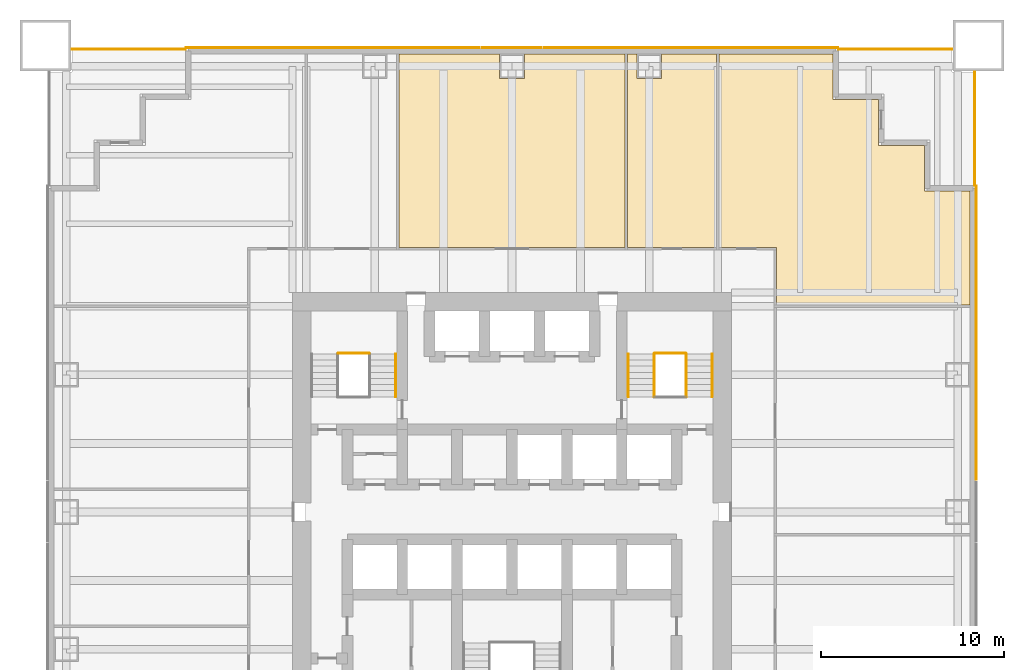
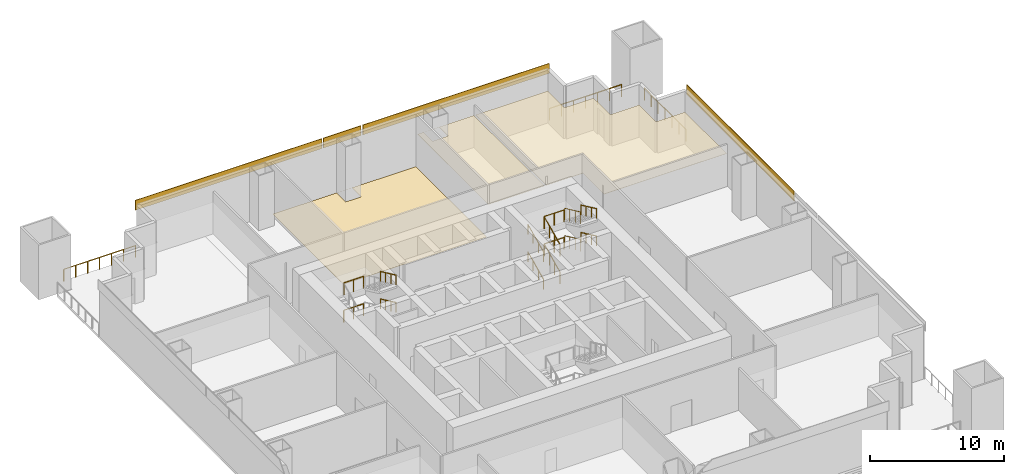
# One storey, part 6 of 6: 17 railings, 7 coverings.
"""IFC4 building model written with IfcOpenShell, lengths in metres."""

from ifc_helpers import new_model, si_unit, direction, frame, origin, origin_2d, place, context, subcontext, project, spatial, polyline, rectangle, circle, outline, extrude, material, layer, layer_set, type_object, element, save


model = new_model("IFC4")

# Units and contexts
model_context = context("Model", 3, precision=1e-05, world=origin(), true_north=direction((0.0, 1.0)))
body_context = subcontext(model_context, "Body", "Model", "MODEL_VIEW")
ifc_project = project(units=[si_unit("LENGTHUNIT", "METRE"), si_unit("AREAUNIT", "SQUARE_METRE"), si_unit("VOLUMEUNIT", "CUBIC_METRE"), si_unit("PLANEANGLEUNIT", "RADIAN"), si_unit("MASSUNIT", "GRAM", prefix="KILO")], contexts=[model_context])

# Site, building, storey
site_placement = place(None, origin())
site = spatial("IfcSite", under=ifc_project, at=site_placement, CompositionType="ELEMENT")
building_placement = place(site_placement, origin())
building = spatial("IfcBuilding", under=site, at=building_placement, Name="Tarangal Relay Tower", CompositionType="ELEMENT")
storey_placement = place(building_placement, frame((0.0, 0.0, 73.39990234375)))
storey = spatial("IfcBuildingStorey", under=building, at=storey_placement, Name="L14", CompositionType="ELEMENT", Elevation=73.39990234375)

# Coverings
ifc_material_1 = material(Name="Anti-static vinyl flooring", Category="plastic")
ifc_layer_1 = layer(ifc_material_1, 0.010009765625)
ifc_layer_set_1 = layer_set([ifc_layer_1], Name="Anti-static vinyl floor")
covering_type_1 = type_object("IfcCoveringType", Name="Anti-static vinyl floor", PredefinedType="FLOORING", material=ifc_layer_set_1)
covering_1_placement = place(storey_placement, origin())
element("IfcCovering", 1, at=covering_1_placement, inside=storey, type_object=covering_type_1, Name="Floor finish FL1 L14-03", PredefinedType="FLOORING", context=body_context, shape_type="SweptSolid", body=[
    extrude(outline(polyline([(6.175048828125, 25.050048828125), (-6.175048828125, 25.050048828125), (-6.175048828125, 14.47509765625), (6.175048828125, 14.47509765625), (6.175048828125, 25.050048828125)]), holes=[polyline([(0.675048828125, 25.0400390625), (-0.675048828125, 25.0400390625), (-0.675048828125, 23.68994140625), (0.675048828125, 23.68994140625), (0.675048828125, 25.0400390625)])]), origin(), (0.0, 0.0, 1.0), 0.010009765625),
])
ifc_material_2 = material(Name="Black anodised aluminium cladding", Category="aluminium")
ifc_layer_2 = layer(ifc_material_2, 0.050048828125)
ifc_layer_set_2 = layer_set([ifc_layer_2], Name="Black metal spandrel band")
covering_type_2 = type_object("IfcCoveringType", Name="Black metal spandrel band", PredefinedType="CLADDING", material=ifc_layer_set_2)
covering_2_placement = place(storey_placement, frame((-9.81005859375, 25.375, 4.250244140625), z_axis=(0.0, 0.0, 1.0), x_axis=(1.0, 0.0, 0.0)))
element("IfcCovering", 2, at=covering_2_placement, inside=storey, type_object=covering_type_2, Name="Spandrel band SB1 N L14", PredefinedType="CLADDING", context=body_context, shape_type="SweptSolid", body=[
    extrude(rectangle(XDim=16.080078125, YDim=0.050048828125, at=origin_2d()), origin(), (0.0, 0.0, 1.0), 0.89990234375),
])
covering_3_placement = place(storey_placement, frame((0.0, 25.375, 4.250244140625), z_axis=(0.0, 0.0, 1.0), x_axis=(1.0, 0.0, 0.0)))
element("IfcCovering", 3, at=covering_3_placement, inside=storey, type_object=covering_type_2, Name="Spandrel band SB1 N L14", PredefinedType="CLADDING", context=body_context, shape_type="SweptSolid", body=[
    extrude(rectangle(XDim=3.260009765625, YDim=0.050048828125, at=origin_2d()), origin(), (0.0, 0.0, 1.0), 0.89990234375),
])
for number, where, z_axis, x_axis, name in (
    (4, (9.81005859375, 25.375, 4.250244140625), (0.0, 0.0, 1.0), (1.0, 0.0, 0.0), "Spandrel band SB1 N L14"),
    (5, (25.375, 9.81005859375, 4.250244140625), (0.0, 0.0, 1.0), (0.0, -1.0, 0.0), "Spandrel band SB1 E L14"),
):
    element("IfcCovering", number, at=place(storey_placement, frame(where, z_axis=z_axis, x_axis=x_axis)), inside=storey, type_object=covering_type_2, Name=name, PredefinedType="CLADDING", context=body_context, shape_type="SweptSolid", body=[
        extrude(rectangle(XDim=16.080078125, YDim=0.050048828125, at=origin_2d()), origin(), (0.0, 0.0, 1.0), 0.89990234375),
    ])

# Railings
ifc_material_3 = material(Name="Steel guard, black finish", Category="steel")
railing_type_1 = type_object("IfcRailingType", Name="Stair guard 1100", PredefinedType="GUARDRAIL", material=ifc_material_3)
for number, where, name in (
    (6, (-9.5, 8.675048828125, 1.25), "Stair ST-A landing guard GR1 L14"),
    (7, (-9.5, 8.675048828125, 3.75), "Stair ST-A landing guard GR1 L14"),
):
    element("IfcRailing", number, at=place(storey_placement, frame(where)), inside=storey, type_object=railing_type_1, Name=name, PredefinedType="GUARDRAIL", context=body_context, shape_type="SweptSolid", body=[
        extrude(circle(Radius=0.02392578125, at=origin_2d()), frame((0.0, 0.0, 1.076171875), z_axis=(1.0, 0.0, 0.0), x_axis=(0.0, 1.0, 0.0)), (0.0, 0.0, 1.0), 1.699951171875),
        extrude(circle(Radius=0.02099609375, at=origin_2d()), origin(), (0.0, 0.0, 1.0), 1.052001953125),
        extrude(circle(Radius=0.02099609375, at=origin_2d()), frame((0.85009765625, 0.0, 0.0)), (0.0, 0.0, 1.0), 1.052001953125),
        extrude(circle(Radius=0.02099609375, at=origin_2d()), frame((1.699951171875, 0.0, 0.0)), (0.0, 0.0, 1.0), 1.052001953125),
    ])
railing_1_placement = place(storey_placement, frame((7.77001953125, 6.300048828125, 0.156494140625)))
element("IfcRailing", 8, at=railing_1_placement, inside=storey, type_object=railing_type_1, Name="Stair ST-B guard GR1 L14 flight 1", PredefinedType="GUARDRAIL", context=body_context, shape_type="SweptSolid", body=[
    extrude(circle(Radius=0.02392578125, at=origin_2d()), frame((0.0, 0.0, 1.076171875), z_axis=(0.0, 0.906303632821, 0.42262717037), x_axis=(-1.0, 0.0, 0.0)), (0.0, 0.0, 1.0), 2.58740234375),
    extrude(circle(Radius=0.02099609375, at=origin_2d()), origin(), (0.0, 0.0, 1.0), 1.052001953125),
    extrude(circle(Radius=0.02099609375, at=origin_2d()), frame((0.0, 0.78173828125, 0.364501953125)), (0.0, 0.0, 1.0), 1.052001953125),
    extrude(circle(Radius=0.02099609375, at=origin_2d()), frame((0.0, 1.563232421875, 0.72900390625)), (0.0, 0.0, 1.0), 1.052001953125),
    extrude(circle(Radius=0.02099609375, at=origin_2d()), frame((0.0, 2.344970703125, 1.093505859375)), (0.0, 0.0, 1.0), 1.052001953125),
])
railing_2_placement = place(storey_placement, frame((9.530029296875, 8.64501953125, 1.406494140625)))
element("IfcRailing", 9, at=railing_2_placement, inside=storey, type_object=railing_type_1, Name="Stair ST-B guard GR1 L14 flight 2", PredefinedType="GUARDRAIL", context=body_context, shape_type="SweptSolid", body=[
    extrude(circle(Radius=0.02392578125, at=origin_2d()), frame((0.0, 0.0, 1.076171875), z_axis=(0.0, -0.906303632821, 0.42262717037), x_axis=(1.0, 0.0, 0.0)), (0.0, 0.0, 1.0), 2.58740234375),
    extrude(circle(Radius=0.02099609375, at=origin_2d()), origin(), (0.0, 0.0, 1.0), 1.052001953125),
    extrude(circle(Radius=0.02099609375, at=origin_2d()), frame((0.0, -0.78173828125, 0.364501953125)), (0.0, 0.0, 1.0), 1.052001953125),
    extrude(circle(Radius=0.02099609375, at=origin_2d()), frame((0.0, -1.563232421875, 0.72900390625)), (0.0, 0.0, 1.0), 1.052001953125),
    extrude(circle(Radius=0.02099609375, at=origin_2d()), frame((0.0, -2.344970703125, 1.093505859375)), (0.0, 0.0, 1.0), 1.052001953125),
])
railing_3_placement = place(storey_placement, frame((7.77001953125, 6.300048828125, 2.656494140625)))
element("IfcRailing", 10, at=railing_3_placement, inside=storey, type_object=railing_type_1, Name="Stair ST-B guard GR1 L14 flight 3", PredefinedType="GUARDRAIL", context=body_context, shape_type="SweptSolid", body=[
    extrude(circle(Radius=0.02392578125, at=origin_2d()), frame((0.0, 0.0, 1.076171875), z_axis=(0.0, 0.906303632821, 0.42262717037), x_axis=(-1.0, 0.0, 0.0)), (0.0, 0.0, 1.0), 2.58740234375),
    extrude(circle(Radius=0.02099609375, at=origin_2d()), origin(), (0.0, 0.0, 1.0), 1.052001953125),
    extrude(circle(Radius=0.02099609375, at=origin_2d()), frame((0.0, 0.78173828125, 0.364501953125)), (0.0, 0.0, 1.0), 1.052001953125),
    extrude(circle(Radius=0.02099609375, at=origin_2d()), frame((0.0, 1.563232421875, 0.72900390625)), (0.0, 0.0, 1.0), 1.052001953125),
    extrude(circle(Radius=0.02099609375, at=origin_2d()), frame((0.0, 2.344970703125, 1.093505859375)), (0.0, 0.0, 1.0), 1.052001953125),
])
railing_4_placement = place(storey_placement, frame((9.530029296875, 8.64501953125, 3.906494140625)))
element("IfcRailing", 11, at=railing_4_placement, inside=storey, type_object=railing_type_1, Name="Stair ST-B guard GR1 L14 flight 4", PredefinedType="GUARDRAIL", context=body_context, shape_type="SweptSolid", body=[
    extrude(circle(Radius=0.02392578125, at=origin_2d()), frame((0.0, 0.0, 1.076171875), z_axis=(0.0, -0.906303632821, 0.42262717037), x_axis=(1.0, 0.0, 0.0)), (0.0, 0.0, 1.0), 2.58740234375),
    extrude(circle(Radius=0.02099609375, at=origin_2d()), origin(), (0.0, 0.0, 1.0), 1.052001953125),
    extrude(circle(Radius=0.02099609375, at=origin_2d()), frame((0.0, -0.78173828125, 0.364501953125)), (0.0, 0.0, 1.0), 1.052001953125),
    extrude(circle(Radius=0.02099609375, at=origin_2d()), frame((0.0, -1.563232421875, 0.72900390625)), (0.0, 0.0, 1.0), 1.052001953125),
    extrude(circle(Radius=0.02099609375, at=origin_2d()), frame((0.0, -2.344970703125, 1.093505859375)), (0.0, 0.0, 1.0), 1.052001953125),
])
for number, where, name in (
    (12, (7.800048828125, 8.675048828125, 1.25), "Stair ST-B landing guard GR1 L14"),
    (13, (7.800048828125, 8.675048828125, 3.75), "Stair ST-B landing guard GR1 L14"),
):
    element("IfcRailing", number, at=place(storey_placement, frame(where)), inside=storey, type_object=railing_type_1, Name=name, PredefinedType="GUARDRAIL", context=body_context, shape_type="SweptSolid", body=[
        extrude(circle(Radius=0.02392578125, at=origin_2d()), frame((0.0, 0.0, 1.076171875), z_axis=(1.0, 0.0, 0.0), x_axis=(0.0, 1.0, 0.0)), (0.0, 0.0, 1.0), 1.699951171875),
        extrude(circle(Radius=0.02099609375, at=origin_2d()), origin(), (0.0, 0.0, 1.0), 1.052001953125),
        extrude(circle(Radius=0.02099609375, at=origin_2d()), frame((0.85009765625, 0.0, 0.0)), (0.0, 0.0, 1.0), 1.052001953125),
        extrude(circle(Radius=0.02099609375, at=origin_2d()), frame((1.699951171875, 0.0, 0.0)), (0.0, 0.0, 1.0), 1.052001953125),
    ])
ifc_material_4 = material(Name="Steel handrail, black finish", Category="steel")
railing_type_2 = type_object("IfcRailingType", Name="Stair handrail 900", PredefinedType="HANDRAIL", material=ifc_material_4)
for number, where, name in (
    (14, (-6.360107421875, 8.64501953125, 1.406494140625), "Stair ST-A handrail HR1 L14 flight 2"),
    (15, (-6.360107421875, 8.64501953125, 3.906494140625), "Stair ST-A handrail HR1 L14 flight 4"),
):
    element("IfcRailing", number, at=place(storey_placement, frame(where)), inside=storey, type_object=railing_type_2, Name=name, PredefinedType="HANDRAIL", context=body_context, shape_type="SweptSolid", body=[
        extrude(circle(Radius=0.02392578125, at=origin_2d()), frame((0.0, 0.0, 0.8759765625), z_axis=(0.0, -0.906303632821, 0.42262717037), x_axis=(1.0, 0.0, 0.0)), (0.0, 0.0, 1.0), 2.58740234375),
        extrude(circle(Radius=0.02099609375, at=origin_2d()), origin(), (0.0, 0.0, 1.0), 0.851806640625),
        extrude(circle(Radius=0.02099609375, at=origin_2d()), frame((0.0, -0.78173828125, 0.364501953125)), (0.0, 0.0, 1.0), 0.851806640625),
        extrude(circle(Radius=0.02099609375, at=origin_2d()), frame((0.0, -1.563232421875, 0.72900390625)), (0.0, 0.0, 1.0), 0.851806640625),
        extrude(circle(Radius=0.02099609375, at=origin_2d()), frame((0.0, -2.344970703125, 1.093505859375)), (0.0, 0.0, 1.0), 0.851806640625),
    ])
railing_5_placement = place(storey_placement, frame((6.360107421875, 6.300048828125, 0.156494140625)))
element("IfcRailing", 16, at=railing_5_placement, inside=storey, type_object=railing_type_2, Name="Stair ST-B handrail HR1 L14 flight 1", PredefinedType="HANDRAIL", context=body_context, shape_type="SweptSolid", body=[
    extrude(circle(Radius=0.02392578125, at=origin_2d()), frame((0.0, 0.0, 0.8759765625), z_axis=(0.0, 0.906303632821, 0.42262717037), x_axis=(-1.0, 0.0, 0.0)), (0.0, 0.0, 1.0), 2.58740234375),
    extrude(circle(Radius=0.02099609375, at=origin_2d()), origin(), (0.0, 0.0, 1.0), 0.851806640625),
    extrude(circle(Radius=0.02099609375, at=origin_2d()), frame((0.0, 0.78173828125, 0.364501953125)), (0.0, 0.0, 1.0), 0.851806640625),
    extrude(circle(Radius=0.02099609375, at=origin_2d()), frame((0.0, 1.563232421875, 0.72900390625)), (0.0, 0.0, 1.0), 0.851806640625),
    extrude(circle(Radius=0.02099609375, at=origin_2d()), frame((0.0, 2.344970703125, 1.093505859375)), (0.0, 0.0, 1.0), 0.851806640625),
])
railing_6_placement = place(storey_placement, frame((10.93994140625, 8.64501953125, 1.406494140625)))
element("IfcRailing", 17, at=railing_6_placement, inside=storey, type_object=railing_type_2, Name="Stair ST-B handrail HR1 L14 flight 2", PredefinedType="HANDRAIL", context=body_context, shape_type="SweptSolid", body=[
    extrude(circle(Radius=0.02392578125, at=origin_2d()), frame((0.0, 0.0, 0.8759765625), z_axis=(0.0, -0.906303632821, 0.42262717037), x_axis=(1.0, 0.0, 0.0)), (0.0, 0.0, 1.0), 2.58740234375),
    extrude(circle(Radius=0.02099609375, at=origin_2d()), origin(), (0.0, 0.0, 1.0), 0.851806640625),
    extrude(circle(Radius=0.02099609375, at=origin_2d()), frame((0.0, -0.78173828125, 0.364501953125)), (0.0, 0.0, 1.0), 0.851806640625),
    extrude(circle(Radius=0.02099609375, at=origin_2d()), frame((0.0, -1.563232421875, 0.72900390625)), (0.0, 0.0, 1.0), 0.851806640625),
    extrude(circle(Radius=0.02099609375, at=origin_2d()), frame((0.0, -2.344970703125, 1.093505859375)), (0.0, 0.0, 1.0), 0.851806640625),
])
railing_7_placement = place(storey_placement, frame((6.360107421875, 6.300048828125, 2.656494140625)))
element("IfcRailing", 18, at=railing_7_placement, inside=storey, type_object=railing_type_2, Name="Stair ST-B handrail HR1 L14 flight 3", PredefinedType="HANDRAIL", context=body_context, shape_type="SweptSolid", body=[
    extrude(circle(Radius=0.02392578125, at=origin_2d()), frame((0.0, 0.0, 0.8759765625), z_axis=(0.0, 0.906303632821, 0.42262717037), x_axis=(-1.0, 0.0, 0.0)), (0.0, 0.0, 1.0), 2.58740234375),
    extrude(circle(Radius=0.02099609375, at=origin_2d()), origin(), (0.0, 0.0, 1.0), 0.851806640625),
    extrude(circle(Radius=0.02099609375, at=origin_2d()), frame((0.0, 0.78173828125, 0.364501953125)), (0.0, 0.0, 1.0), 0.851806640625),
    extrude(circle(Radius=0.02099609375, at=origin_2d()), frame((0.0, 1.563232421875, 0.72900390625)), (0.0, 0.0, 1.0), 0.851806640625),
    extrude(circle(Radius=0.02099609375, at=origin_2d()), frame((0.0, 2.344970703125, 1.093505859375)), (0.0, 0.0, 1.0), 0.851806640625),
])
railing_8_placement = place(storey_placement, frame((10.93994140625, 8.64501953125, 3.906494140625)))
element("IfcRailing", 19, at=railing_8_placement, inside=storey, type_object=railing_type_2, Name="Stair ST-B handrail HR1 L14 flight 4", PredefinedType="HANDRAIL", context=body_context, shape_type="SweptSolid", body=[
    extrude(circle(Radius=0.02392578125, at=origin_2d()), frame((0.0, 0.0, 0.8759765625), z_axis=(0.0, -0.906303632821, 0.42262717037), x_axis=(1.0, 0.0, 0.0)), (0.0, 0.0, 1.0), 2.58740234375),
    extrude(circle(Radius=0.02099609375, at=origin_2d()), origin(), (0.0, 0.0, 1.0), 0.851806640625),
    extrude(circle(Radius=0.02099609375, at=origin_2d()), frame((0.0, -0.78173828125, 0.364501953125)), (0.0, 0.0, 1.0), 0.851806640625),
    extrude(circle(Radius=0.02099609375, at=origin_2d()), frame((0.0, -1.563232421875, 0.72900390625)), (0.0, 0.0, 1.0), 0.851806640625),
    extrude(circle(Radius=0.02099609375, at=origin_2d()), frame((0.0, -2.344970703125, 1.093505859375)), (0.0, 0.0, 1.0), 0.851806640625),
])

# Coverings
ifc_material_5 = material(Name="Mineral fibre ceiling tiles", Category="gypsum")
ifc_layer_3 = layer(ifc_material_5, 0.02001953125)
ifc_layer_set_3 = layer_set([ifc_layer_3], Name="Suspended ceiling")
covering_type_3 = type_object("IfcCoveringType", Name="Suspended ceiling", PredefinedType="CEILING", material=ifc_layer_set_3)
covering_4_placement = place(storey_placement, frame((0.0, 0.0, 2.900146484375)))
element("IfcCovering", 20, at=covering_4_placement, inside=storey, type_object=covering_type_3, Name="Suspended ceiling CL1 L14-04", PredefinedType="CEILING", context=body_context, shape_type="SweptSolid", body=[
    extrude(outline(polyline([(11.175048828125, 25.050048828125), (6.324951171875, 25.050048828125), (6.324951171875, 14.47509765625), (11.175048828125, 14.47509765625), (11.175048828125, 25.050048828125)]), holes=[polyline([(8.175048828125, 25.0400390625), (6.824951171875, 25.0400390625), (6.824951171875, 23.68994140625), (8.175048828125, 23.68994140625), (8.175048828125, 25.0400390625)])]), origin(), (0.0, 0.0, 1.0), 0.02001953125),
])
covering_5_placement = place(storey_placement, frame((0.0, 0.0, 2.900146484375)))
element("IfcCovering", 21, at=covering_5_placement, inside=storey, type_object=covering_type_3, Name="Suspended ceiling CL1 L14-12", PredefinedType="CEILING", context=body_context, shape_type="SweptSolid", body=[
    extrude(outline(polyline([(17.550048828125, 25.050048828125), (11.324951171875, 25.050048828125), (11.324951171875, 14.47509765625), (14.47509765625, 14.47509765625), (14.47509765625, 11.324951171875), (25.050048828125, 11.324951171875), (25.050048828125, 17.550048828125), (22.550048828125, 17.550048828125), (22.550048828125, 20.050048828125), (20.050048828125, 20.050048828125), (20.050048828125, 22.550048828125), (17.550048828125, 22.550048828125), (17.550048828125, 25.050048828125)])), origin(), (0.0, 0.0, 1.0), 0.02001953125),
])

# Railings
ifc_material_6 = material(Name="Black steel guard with glass infill", Category="steel")
railing_type_3 = type_object("IfcRailingType", Name="Terrace guard 1100", PredefinedType="GUARDRAIL", material=ifc_material_6)
railing_9_placement = place(storey_placement, frame((17.85009765625, 25.300048828125, 0.0)))
element("IfcRailing", 22, at=railing_9_placement, inside=storey, type_object=railing_type_3, Name="Terrace guard GR2 NE L14", PredefinedType="GUARDRAIL", context=body_context, shape_type="SweptSolid", body=[
    extrude(circle(Radius=0.02392578125, at=origin_2d()), frame((0.0, 0.0, 1.076171875), z_axis=(1.0, 0.0, 0.0), x_axis=(0.0, 1.0, 0.0)), (0.0, 0.0, 1.0), 6.199951171875),
    extrude(circle(Radius=0.02099609375, at=origin_2d()), origin(), (0.0, 0.0, 1.0), 1.052001953125),
    extrude(circle(Radius=0.02099609375, at=origin_2d()), frame((1.033203125, 0.0, 0.0)), (0.0, 0.0, 1.0), 1.052001953125),
    extrude(circle(Radius=0.02099609375, at=origin_2d()), frame((2.066650390625, 0.0, 0.0)), (0.0, 0.0, 1.0), 1.052001953125),
    extrude(circle(Radius=0.02099609375, at=origin_2d()), frame((3.10009765625, 0.0, 0.0)), (0.0, 0.0, 1.0), 1.052001953125),
    extrude(circle(Radius=0.02099609375, at=origin_2d()), frame((4.13330078125, 0.0, 0.0)), (0.0, 0.0, 1.0), 1.052001953125),
    extrude(circle(Radius=0.02099609375, at=origin_2d()), frame((5.16650390625, 0.0, 0.0)), (0.0, 0.0, 1.0), 1.052001953125),
    extrude(circle(Radius=0.02099609375, at=origin_2d()), frame((6.199951171875, 0.0, 0.0)), (0.0, 0.0, 1.0), 1.052001953125),
])
railing_10_placement = place(storey_placement, frame((25.300048828125, 24.050048828125, 0.0)))
element("IfcRailing", 23, at=railing_10_placement, inside=storey, type_object=railing_type_3, Name="Terrace guard GR2 NE L14", PredefinedType="GUARDRAIL", context=body_context, shape_type="SweptSolid", body=[
    extrude(circle(Radius=0.02392578125, at=origin_2d()), frame((0.0, 0.0, 1.076171875), z_axis=(0.0, -1.0, 0.0), x_axis=(1.0, 0.0, 0.0)), (0.0, 0.0, 1.0), 6.199951171875),
    extrude(circle(Radius=0.02099609375, at=origin_2d()), origin(), (0.0, 0.0, 1.0), 1.052001953125),
    extrude(circle(Radius=0.02099609375, at=origin_2d()), frame((0.0, -1.033203125, 0.0)), (0.0, 0.0, 1.0), 1.052001953125),
    extrude(circle(Radius=0.02099609375, at=origin_2d()), frame((0.0, -2.066650390625, 0.0)), (0.0, 0.0, 1.0), 1.052001953125),
    extrude(circle(Radius=0.02099609375, at=origin_2d()), frame((0.0, -3.10009765625, 0.0)), (0.0, 0.0, 1.0), 1.052001953125),
    extrude(circle(Radius=0.02099609375, at=origin_2d()), frame((0.0, -4.13330078125, 0.0)), (0.0, 0.0, 1.0), 1.052001953125),
    extrude(circle(Radius=0.02099609375, at=origin_2d()), frame((0.0, -5.16650390625, 0.0)), (0.0, 0.0, 1.0), 1.052001953125),
    extrude(circle(Radius=0.02099609375, at=origin_2d()), frame((0.0, -6.199951171875, 0.0)), (0.0, 0.0, 1.0), 1.052001953125),
])
railing_11_placement = place(storey_placement, frame((-24.050048828125, 25.300048828125, 0.0)))
element("IfcRailing", 24, at=railing_11_placement, inside=storey, type_object=railing_type_3, Name="Terrace guard GR2 NW L14", PredefinedType="GUARDRAIL", context=body_context, shape_type="SweptSolid", body=[
    extrude(circle(Radius=0.02392578125, at=origin_2d()), frame((0.0, 0.0, 1.076171875), z_axis=(1.0, 0.0, 0.0), x_axis=(0.0, 1.0, 0.0)), (0.0, 0.0, 1.0), 6.199951171875),
    extrude(circle(Radius=0.02099609375, at=origin_2d()), origin(), (0.0, 0.0, 1.0), 1.052001953125),
    extrude(circle(Radius=0.02099609375, at=origin_2d()), frame((1.033203125, 0.0, 0.0)), (0.0, 0.0, 1.0), 1.052001953125),
    extrude(circle(Radius=0.02099609375, at=origin_2d()), frame((2.066650390625, 0.0, 0.0)), (0.0, 0.0, 1.0), 1.052001953125),
    extrude(circle(Radius=0.02099609375, at=origin_2d()), frame((3.10009765625, 0.0, 0.0)), (0.0, 0.0, 1.0), 1.052001953125),
    extrude(circle(Radius=0.02099609375, at=origin_2d()), frame((4.13330078125, 0.0, 0.0)), (0.0, 0.0, 1.0), 1.052001953125),
    extrude(circle(Radius=0.02099609375, at=origin_2d()), frame((5.16650390625, 0.0, 0.0)), (0.0, 0.0, 1.0), 1.052001953125),
    extrude(circle(Radius=0.02099609375, at=origin_2d()), frame((6.199951171875, 0.0, 0.0)), (0.0, 0.0, 1.0), 1.052001953125),
])

save(model, "model.ifc")
